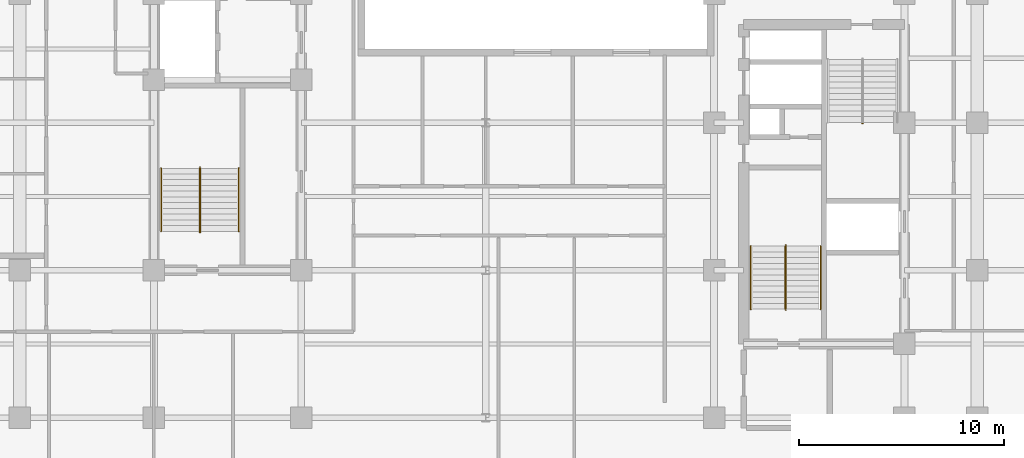
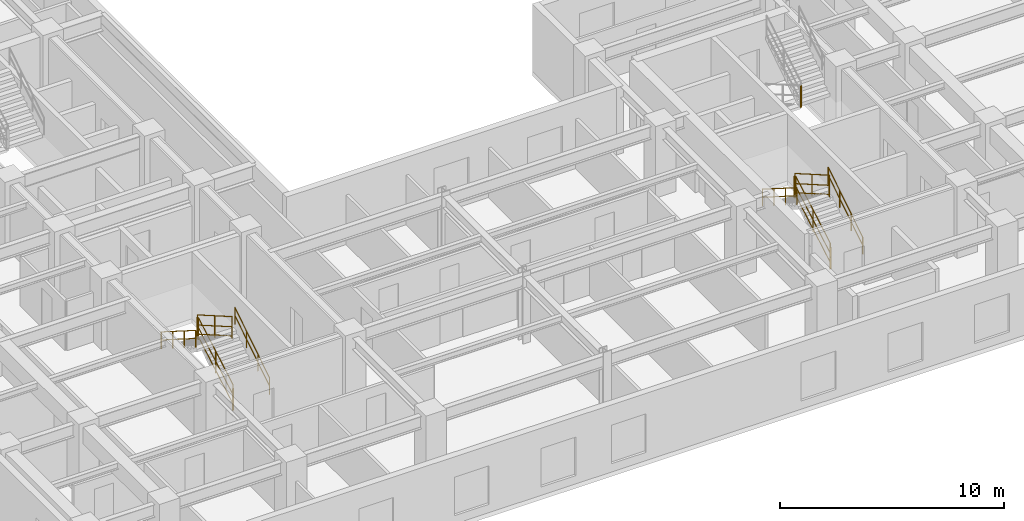
# One storey, part 7 of 9: 13 railings.
"""IFC4 building model written with IfcOpenShell, lengths in metres."""

from ifc_helpers import new_model, entity, si_unit, converted_unit, direction, frame, origin_with_axes, origin_2d_with_axis, place, context, subcontext, project, spatial, rectangle, circle, extrude, material, type_object, element, save


model = new_model("IFC4")

# Units and contexts
model_context = context("Model", 3, precision=1e-05, world=origin_with_axes(), true_north=direction((0.0, 1.0)))
body_context = subcontext(model_context, "Body", "Model", "MODEL_VIEW")
ifc_project = project(units=[si_unit("LENGTHUNIT", "METRE"), si_unit("AREAUNIT", "SQUARE_METRE"), si_unit("VOLUMEUNIT", "CUBIC_METRE"), converted_unit("PLANEANGLEUNIT", "DEGREE", entity("IfcPlaneAngleMeasure", 0.017453292519943295), si_unit("PLANEANGLEUNIT", "RADIAN"), dimensions=[0, 0, 0, 0, 0, 0, 0]), si_unit("MASSUNIT", "GRAM", prefix="KILO"), si_unit("THERMODYNAMICTEMPERATUREUNIT", "KELVIN")], contexts=[model_context])

# Site, building, storey
site_placement = place(None, origin_with_axes())
site = spatial("IfcSite", under=ifc_project, at=site_placement, CompositionType="ELEMENT")
building_placement = place(site_placement, origin_with_axes())
building = spatial("IfcBuilding", under=site, at=building_placement, Name="Varnlund Millrace Tower", CompositionType="ELEMENT")
storey_placement = place(building_placement, frame((0.0, 0.0, 132.9), z_axis=(0.0, 0.0, 1.0), x_axis=(1.0, 0.0, 0.0)))
storey = spatial("IfcBuildingStorey", under=building, at=storey_placement, Name="L32", CompositionType="ELEMENT", Elevation=132.9)

# Railings
ifc_material_1 = material(Name="Painted steel stair well balustrade guard", Category="steel")
railing_type_1 = type_object("IfcRailingType", Name="Type-StairGuard-1150", PredefinedType="GUARDRAIL", material=ifc_material_1)
railing_1_placement = place(storey_placement, frame((0.0, 0.0, -132.9), z_axis=(0.0, 0.0, 1.0), x_axis=(1.0, 0.0, 0.0)))
element("IfcRailing", 1, at=railing_1_placement, inside=storey, type_object=railing_type_1, Name="Type-StairGuard-1150", PredefinedType="GUARDRAIL", context=body_context, shape_type="SweptSolid", body=[
    extrude(circle(Radius=0.024, at=origin_2d_with_axis()), frame((13.675, 12.7, 134.227273), z_axis=(0.0, 0.866696, 0.498836), x_axis=(-1.0, 0.0, 0.0)), (0.0, 0.0, 1.0), 3.553725),
    extrude(circle(Radius=0.024, at=origin_2d_with_axis()), frame((13.675, 12.7, 133.177273), z_axis=(0.0, 0.866696, 0.498836), x_axis=(-1.0, 0.0, 0.0)), (0.0, 0.0, 1.0), 3.553725),
    extrude(circle(Radius=0.024, at=origin_2d_with_axis()), frame((13.675, 12.7, 133.675273), z_axis=(0.0, 0.866696, 0.498836), x_axis=(-1.0, 0.0, 0.0)), (0.0, 0.0, 1.0), 3.553725),
    extrude(rectangle(XDim=0.04, YDim=0.04, at=origin_2d_with_axis()), frame((13.675, 12.7, 133.037273), z_axis=(0.0, 0.0, 1.0), x_axis=(1.0, 0.0, 0.0)), (0.0, 0.0, 1.0), 1.19),
    extrude(rectangle(XDim=0.04, YDim=0.04, at=origin_2d_with_axis()), frame((13.675, 14.24, 133.923637), z_axis=(0.0, 0.0, 1.0), x_axis=(1.0, 0.0, 0.0)), (0.0, 0.0, 1.0), 1.19),
    extrude(rectangle(XDim=0.04, YDim=0.04, at=origin_2d_with_axis()), frame((13.675, 15.78, 134.81), z_axis=(0.0, 0.0, 1.0), x_axis=(1.0, 0.0, 0.0)), (0.0, 0.0, 1.0), 1.19),
])
railing_2_placement = place(storey_placement, frame((0.0, 0.0, -132.9), z_axis=(0.0, 0.0, 1.0), x_axis=(1.0, 0.0, 0.0)))
element("IfcRailing", 2, at=railing_2_placement, inside=storey, type_object=railing_type_1, Name="Type-StairGuard-1150", PredefinedType="GUARDRAIL", context=body_context, shape_type="SweptSolid", body=[
    extrude(circle(Radius=0.024, at=origin_2d_with_axis()), frame((13.625, 15.83, 136.0), z_axis=(1.0, 0.0, 0.0), x_axis=(0.0, 1.0, 0.0)), (0.0, 0.0, 1.0), 0.05),
    extrude(circle(Radius=0.024, at=origin_2d_with_axis()), frame((13.625, 15.83, 134.95), z_axis=(1.0, 0.0, 0.0), x_axis=(0.0, 1.0, 0.0)), (0.0, 0.0, 1.0), 0.05),
    extrude(circle(Radius=0.024, at=origin_2d_with_axis()), frame((13.625, 15.83, 135.448), z_axis=(1.0, 0.0, 0.0), x_axis=(0.0, 1.0, 0.0)), (0.0, 0.0, 1.0), 0.05),
    extrude(rectangle(XDim=0.04, YDim=0.04, at=origin_2d_with_axis()), frame((13.625, 15.83, 134.81), z_axis=(0.0, 0.0, 1.0), x_axis=(1.0, 0.0, 0.0)), (0.0, 0.0, 1.0), 1.19),
    extrude(rectangle(XDim=0.04, YDim=0.04, at=origin_2d_with_axis()), frame((13.675, 15.83, 134.81), z_axis=(0.0, 0.0, 1.0), x_axis=(1.0, 0.0, 0.0)), (0.0, 0.0, 1.0), 1.19),
])
railing_3_placement = place(storey_placement, frame((0.0, 0.0, -132.9), z_axis=(0.0, 0.0, 1.0), x_axis=(1.0, 0.0, 0.0)))
element("IfcRailing", 3, at=railing_3_placement, inside=storey, type_object=railing_type_1, Name="Type-StairGuard-1150", PredefinedType="GUARDRAIL", context=body_context, shape_type="SweptSolid", body=[
    extrude(circle(Radius=0.024, at=origin_2d_with_axis()), frame((13.625, 15.78, 136.177273), z_axis=(0.0, -0.866696, 0.498836), x_axis=(1.0, 0.0, 0.0)), (0.0, 0.0, 1.0), 3.553725),
    extrude(circle(Radius=0.024, at=origin_2d_with_axis()), frame((13.625, 15.78, 135.127273), z_axis=(0.0, -0.866696, 0.498836), x_axis=(1.0, 0.0, 0.0)), (0.0, 0.0, 1.0), 3.553725),
    extrude(circle(Radius=0.024, at=origin_2d_with_axis()), frame((13.625, 15.78, 135.625273), z_axis=(0.0, -0.866696, 0.498836), x_axis=(1.0, 0.0, 0.0)), (0.0, 0.0, 1.0), 3.553725),
    extrude(rectangle(XDim=0.04, YDim=0.04, at=origin_2d_with_axis()), frame((13.625, 15.78, 134.987273), z_axis=(0.0, 0.0, 1.0), x_axis=(1.0, 0.0, 0.0)), (0.0, 0.0, 1.0), 1.19),
    extrude(rectangle(XDim=0.04, YDim=0.04, at=origin_2d_with_axis()), frame((13.625, 14.24, 135.873636), z_axis=(0.0, 0.0, 1.0), x_axis=(1.0, 0.0, 0.0)), (0.0, 0.0, 1.0), 1.19),
    extrude(rectangle(XDim=0.04, YDim=0.04, at=origin_2d_with_axis()), frame((13.625, 12.7, 136.76), z_axis=(0.0, 0.0, 1.0), x_axis=(1.0, 0.0, 0.0)), (0.0, 0.0, 1.0), 1.19),
])
railing_4_placement = place(storey_placement, frame((0.0, 0.0, -132.9), z_axis=(0.0, 0.0, 1.0), x_axis=(1.0, 0.0, 0.0)))
element("IfcRailing", 4, at=railing_4_placement, inside=storey, type_object=railing_type_1, Name="Type-StairGuard-1150", PredefinedType="GUARDRAIL", context=body_context, shape_type="SweptSolid", body=[
    extrude(circle(Radius=0.024, at=origin_2d_with_axis()), frame((13.625, 12.65, 134.05), z_axis=(1.0, 0.0, 0.0), x_axis=(0.0, 1.0, 0.0)), (0.0, 0.0, 1.0), 0.05),
    extrude(circle(Radius=0.024, at=origin_2d_with_axis()), frame((13.625, 12.65, 133.0), z_axis=(1.0, 0.0, 0.0), x_axis=(0.0, 1.0, 0.0)), (0.0, 0.0, 1.0), 0.05),
    extrude(circle(Radius=0.024, at=origin_2d_with_axis()), frame((13.625, 12.65, 133.498), z_axis=(1.0, 0.0, 0.0), x_axis=(0.0, 1.0, 0.0)), (0.0, 0.0, 1.0), 0.05),
    extrude(rectangle(XDim=0.04, YDim=0.04, at=origin_2d_with_axis()), frame((13.625, 12.65, 132.86), z_axis=(0.0, 0.0, 1.0), x_axis=(1.0, 0.0, 0.0)), (0.0, 0.0, 1.0), 1.19),
    extrude(rectangle(XDim=0.04, YDim=0.04, at=origin_2d_with_axis()), frame((13.675, 12.65, 132.86), z_axis=(0.0, 0.0, 1.0), x_axis=(1.0, 0.0, 0.0)), (0.0, 0.0, 1.0), 1.19),
])
railing_5_placement = place(storey_placement, frame((0.0, 0.0, -132.9), z_axis=(0.0, 0.0, 1.0), x_axis=(1.0, 0.0, 0.0)))
element("IfcRailing", 5, at=railing_5_placement, inside=storey, type_object=railing_type_1, Name="Type-StairGuard-1150", PredefinedType="GUARDRAIL", context=body_context, shape_type="SweptSolid", body=[
    extrude(circle(Radius=0.024, at=origin_2d_with_axis()), frame((42.275, 8.9, 134.227273), z_axis=(0.0, 0.866696, 0.498836), x_axis=(-1.0, 0.0, 0.0)), (0.0, 0.0, 1.0), 3.553725),
    extrude(circle(Radius=0.024, at=origin_2d_with_axis()), frame((42.275, 8.9, 133.177273), z_axis=(0.0, 0.866696, 0.498836), x_axis=(-1.0, 0.0, 0.0)), (0.0, 0.0, 1.0), 3.553725),
    extrude(circle(Radius=0.024, at=origin_2d_with_axis()), frame((42.275, 8.9, 133.675273), z_axis=(0.0, 0.866696, 0.498836), x_axis=(-1.0, 0.0, 0.0)), (0.0, 0.0, 1.0), 3.553725),
    extrude(rectangle(XDim=0.04, YDim=0.04, at=origin_2d_with_axis()), frame((42.275, 8.9, 133.037273), z_axis=(0.0, 0.0, 1.0), x_axis=(1.0, 0.0, 0.0)), (0.0, 0.0, 1.0), 1.19),
    extrude(rectangle(XDim=0.04, YDim=0.04, at=origin_2d_with_axis()), frame((42.275, 10.44, 133.923637), z_axis=(0.0, 0.0, 1.0), x_axis=(1.0, 0.0, 0.0)), (0.0, 0.0, 1.0), 1.19),
    extrude(rectangle(XDim=0.04, YDim=0.04, at=origin_2d_with_axis()), frame((42.275, 11.98, 134.81), z_axis=(0.0, 0.0, 1.0), x_axis=(1.0, 0.0, 0.0)), (0.0, 0.0, 1.0), 1.19),
])
railing_6_placement = place(storey_placement, frame((0.0, 0.0, -132.9), z_axis=(0.0, 0.0, 1.0), x_axis=(1.0, 0.0, 0.0)))
element("IfcRailing", 6, at=railing_6_placement, inside=storey, type_object=railing_type_1, Name="Type-StairGuard-1150", PredefinedType="GUARDRAIL", context=body_context, shape_type="SweptSolid", body=[
    extrude(circle(Radius=0.024, at=origin_2d_with_axis()), frame((42.225, 12.03, 136.0), z_axis=(1.0, 0.0, 0.0), x_axis=(0.0, 1.0, 0.0)), (0.0, 0.0, 1.0), 0.05),
    extrude(circle(Radius=0.024, at=origin_2d_with_axis()), frame((42.225, 12.03, 134.95), z_axis=(1.0, 0.0, 0.0), x_axis=(0.0, 1.0, 0.0)), (0.0, 0.0, 1.0), 0.05),
    extrude(circle(Radius=0.024, at=origin_2d_with_axis()), frame((42.225, 12.03, 135.448), z_axis=(1.0, 0.0, 0.0), x_axis=(0.0, 1.0, 0.0)), (0.0, 0.0, 1.0), 0.05),
    extrude(rectangle(XDim=0.04, YDim=0.04, at=origin_2d_with_axis()), frame((42.225, 12.03, 134.81), z_axis=(0.0, 0.0, 1.0), x_axis=(1.0, 0.0, 0.0)), (0.0, 0.0, 1.0), 1.19),
    extrude(rectangle(XDim=0.04, YDim=0.04, at=origin_2d_with_axis()), frame((42.275, 12.03, 134.81), z_axis=(0.0, 0.0, 1.0), x_axis=(1.0, 0.0, 0.0)), (0.0, 0.0, 1.0), 1.19),
])
railing_7_placement = place(storey_placement, frame((0.0, 0.0, -132.9), z_axis=(0.0, 0.0, 1.0), x_axis=(1.0, 0.0, 0.0)))
element("IfcRailing", 7, at=railing_7_placement, inside=storey, type_object=railing_type_1, Name="Type-StairGuard-1150", PredefinedType="GUARDRAIL", context=body_context, shape_type="SweptSolid", body=[
    extrude(circle(Radius=0.024, at=origin_2d_with_axis()), frame((42.225, 11.98, 136.177273), z_axis=(0.0, -0.866696, 0.498836), x_axis=(1.0, 0.0, 0.0)), (0.0, 0.0, 1.0), 3.553725),
    extrude(circle(Radius=0.024, at=origin_2d_with_axis()), frame((42.225, 11.98, 135.127273), z_axis=(0.0, -0.866696, 0.498836), x_axis=(1.0, 0.0, 0.0)), (0.0, 0.0, 1.0), 3.553725),
    extrude(circle(Radius=0.024, at=origin_2d_with_axis()), frame((42.225, 11.98, 135.625273), z_axis=(0.0, -0.866696, 0.498836), x_axis=(1.0, 0.0, 0.0)), (0.0, 0.0, 1.0), 3.553725),
    extrude(rectangle(XDim=0.04, YDim=0.04, at=origin_2d_with_axis()), frame((42.225, 11.98, 134.987273), z_axis=(0.0, 0.0, 1.0), x_axis=(1.0, 0.0, 0.0)), (0.0, 0.0, 1.0), 1.19),
    extrude(rectangle(XDim=0.04, YDim=0.04, at=origin_2d_with_axis()), frame((42.225, 10.44, 135.873636), z_axis=(0.0, 0.0, 1.0), x_axis=(1.0, 0.0, 0.0)), (0.0, 0.0, 1.0), 1.19),
    extrude(rectangle(XDim=0.04, YDim=0.04, at=origin_2d_with_axis()), frame((42.225, 8.9, 136.76), z_axis=(0.0, 0.0, 1.0), x_axis=(1.0, 0.0, 0.0)), (0.0, 0.0, 1.0), 1.19),
])
railing_8_placement = place(storey_placement, frame((0.0, 0.0, -132.9), z_axis=(0.0, 0.0, 1.0), x_axis=(1.0, 0.0, 0.0)))
element("IfcRailing", 8, at=railing_8_placement, inside=storey, type_object=railing_type_1, Name="Type-StairGuard-1150", PredefinedType="GUARDRAIL", context=body_context, shape_type="SweptSolid", body=[
    extrude(circle(Radius=0.024, at=origin_2d_with_axis()), frame((42.225, 8.85, 134.05), z_axis=(1.0, 0.0, 0.0), x_axis=(0.0, 1.0, 0.0)), (0.0, 0.0, 1.0), 0.05),
    extrude(circle(Radius=0.024, at=origin_2d_with_axis()), frame((42.225, 8.85, 133.0), z_axis=(1.0, 0.0, 0.0), x_axis=(0.0, 1.0, 0.0)), (0.0, 0.0, 1.0), 0.05),
    extrude(circle(Radius=0.024, at=origin_2d_with_axis()), frame((42.225, 8.85, 133.498), z_axis=(1.0, 0.0, 0.0), x_axis=(0.0, 1.0, 0.0)), (0.0, 0.0, 1.0), 0.05),
    extrude(rectangle(XDim=0.04, YDim=0.04, at=origin_2d_with_axis()), frame((42.225, 8.85, 132.86), z_axis=(0.0, 0.0, 1.0), x_axis=(1.0, 0.0, 0.0)), (0.0, 0.0, 1.0), 1.19),
    extrude(rectangle(XDim=0.04, YDim=0.04, at=origin_2d_with_axis()), frame((42.275, 8.85, 132.86), z_axis=(0.0, 0.0, 1.0), x_axis=(1.0, 0.0, 0.0)), (0.0, 0.0, 1.0), 1.19),
])
railing_9_placement = place(storey_placement, frame((0.0, 0.0, -132.9), z_axis=(0.0, 0.0, 1.0), x_axis=(1.0, 0.0, 0.0)))
element("IfcRailing", 9, at=railing_9_placement, inside=storey, type_object=railing_type_1, Name="Type-StairGuard-1150", PredefinedType="GUARDRAIL", context=body_context, shape_type="SweptSolid", body=[
    extrude(circle(Radius=0.024, at=origin_2d_with_axis()), frame((46.025, 17.97, 136.0), z_axis=(-1.0, 0.0, 0.0), x_axis=(0.0, -1.0, 0.0)), (0.0, 0.0, 1.0), 0.05),
    extrude(circle(Radius=0.024, at=origin_2d_with_axis()), frame((46.025, 17.97, 134.95), z_axis=(-1.0, 0.0, 0.0), x_axis=(0.0, -1.0, 0.0)), (0.0, 0.0, 1.0), 0.05),
    extrude(circle(Radius=0.024, at=origin_2d_with_axis()), frame((46.025, 17.97, 135.448), z_axis=(-1.0, 0.0, 0.0), x_axis=(0.0, -1.0, 0.0)), (0.0, 0.0, 1.0), 0.05),
    extrude(rectangle(XDim=0.04, YDim=0.04, at=origin_2d_with_axis()), frame((46.025, 17.97, 134.81), z_axis=(0.0, 0.0, 1.0), x_axis=(1.0, 0.0, 0.0)), (0.0, 0.0, 1.0), 1.19),
    extrude(rectangle(XDim=0.04, YDim=0.04, at=origin_2d_with_axis()), frame((45.975, 17.97, 134.81), z_axis=(0.0, 0.0, 1.0), x_axis=(1.0, 0.0, 0.0)), (0.0, 0.0, 1.0), 1.19),
])
ifc_material_2 = material(Name="Brushed architectural bronze stair handrail", Category="aluminium")
railing_type_2 = type_object("IfcRailingType", Name="Type-StairHandrail-900", PredefinedType="HANDRAIL", material=ifc_material_2)
railing_10_placement = place(storey_placement, frame((0.0, 0.0, -132.9), z_axis=(0.0, 0.0, 1.0), x_axis=(1.0, 0.0, 0.0)))
element("IfcRailing", 10, at=railing_10_placement, inside=storey, type_object=railing_type_2, Name="Type-StairHandrail-900", PredefinedType="HANDRAIL", context=body_context, shape_type="SweptSolid", body=[
    extrude(circle(Radius=0.024, at=origin_2d_with_axis()), frame((15.55, 12.7, 133.956995), z_axis=(0.0, 0.844902, 0.534922), x_axis=(-1.0, 0.0, 0.0)), (0.0, 0.0, 1.0), 3.645394),
    extrude(circle(Radius=0.024, at=origin_2d_with_axis()), frame((15.55, 12.7, 133.517134), z_axis=(0.0, 0.844902, 0.534922), x_axis=(-1.0, 0.0, 0.0)), (0.0, 0.0, 1.0), 3.645394),
    extrude(rectangle(XDim=0.04, YDim=0.04, at=origin_2d_with_axis()), frame((15.55, 12.7, 133.037273), z_axis=(0.0, 0.0, 1.0), x_axis=(1.0, 0.0, 0.0)), (0.0, 0.0, 1.0), 0.919722),
    extrude(rectangle(XDim=0.04, YDim=0.04, at=origin_2d_with_axis()), frame((15.55, 13.726667, 133.687273), z_axis=(0.0, 0.0, 1.0), x_axis=(1.0, 0.0, 0.0)), (0.0, 0.0, 1.0), 0.919722),
    extrude(rectangle(XDim=0.04, YDim=0.04, at=origin_2d_with_axis()), frame((15.55, 14.753333, 134.337273), z_axis=(0.0, 0.0, 1.0), x_axis=(1.0, 0.0, 0.0)), (0.0, 0.0, 1.0), 0.919722),
    extrude(rectangle(XDim=0.04, YDim=0.04, at=origin_2d_with_axis()), frame((15.55, 15.78, 134.987273), z_axis=(0.0, 0.0, 1.0), x_axis=(1.0, 0.0, 0.0)), (0.0, 0.0, 1.0), 0.919722),
])
railing_11_placement = place(storey_placement, frame((0.0, 0.0, -132.9), z_axis=(0.0, 0.0, 1.0), x_axis=(1.0, 0.0, 0.0)))
element("IfcRailing", 11, at=railing_11_placement, inside=storey, type_object=railing_type_2, Name="Type-StairHandrail-900", PredefinedType="HANDRAIL", context=body_context, shape_type="SweptSolid", body=[
    extrude(circle(Radius=0.024, at=origin_2d_with_axis()), frame((11.75, 15.78, 135.906995), z_axis=(0.0, -0.844902, 0.534922), x_axis=(1.0, 0.0, 0.0)), (0.0, 0.0, 1.0), 3.645394),
    extrude(circle(Radius=0.024, at=origin_2d_with_axis()), frame((11.75, 15.78, 135.467134), z_axis=(0.0, -0.844902, 0.534922), x_axis=(1.0, 0.0, 0.0)), (0.0, 0.0, 1.0), 3.645394),
    extrude(rectangle(XDim=0.04, YDim=0.04, at=origin_2d_with_axis()), frame((11.75, 15.78, 134.987273), z_axis=(0.0, 0.0, 1.0), x_axis=(1.0, 0.0, 0.0)), (0.0, 0.0, 1.0), 0.919722),
    extrude(rectangle(XDim=0.04, YDim=0.04, at=origin_2d_with_axis()), frame((11.75, 14.753333, 135.637273), z_axis=(0.0, 0.0, 1.0), x_axis=(1.0, 0.0, 0.0)), (0.0, 0.0, 1.0), 0.919722),
    extrude(rectangle(XDim=0.04, YDim=0.04, at=origin_2d_with_axis()), frame((11.75, 13.726667, 136.287273), z_axis=(0.0, 0.0, 1.0), x_axis=(1.0, 0.0, 0.0)), (0.0, 0.0, 1.0), 0.919722),
    extrude(rectangle(XDim=0.04, YDim=0.04, at=origin_2d_with_axis()), frame((11.75, 12.7, 136.937273), z_axis=(0.0, 0.0, 1.0), x_axis=(1.0, 0.0, 0.0)), (0.0, 0.0, 1.0), 0.919722),
])
railing_12_placement = place(storey_placement, frame((0.0, 0.0, -132.9), z_axis=(0.0, 0.0, 1.0), x_axis=(1.0, 0.0, 0.0)))
element("IfcRailing", 12, at=railing_12_placement, inside=storey, type_object=railing_type_2, Name="Type-StairHandrail-900", PredefinedType="HANDRAIL", context=body_context, shape_type="SweptSolid", body=[
    extrude(circle(Radius=0.024, at=origin_2d_with_axis()), frame((43.95, 8.9, 133.956995), z_axis=(0.0, 0.844902, 0.534922), x_axis=(-1.0, 0.0, 0.0)), (0.0, 0.0, 1.0), 3.645394),
    extrude(circle(Radius=0.024, at=origin_2d_with_axis()), frame((43.95, 8.9, 133.517134), z_axis=(0.0, 0.844902, 0.534922), x_axis=(-1.0, 0.0, 0.0)), (0.0, 0.0, 1.0), 3.645394),
    extrude(rectangle(XDim=0.04, YDim=0.04, at=origin_2d_with_axis()), frame((43.95, 8.9, 133.037273), z_axis=(0.0, 0.0, 1.0), x_axis=(1.0, 0.0, 0.0)), (0.0, 0.0, 1.0), 0.919722),
    extrude(rectangle(XDim=0.04, YDim=0.04, at=origin_2d_with_axis()), frame((43.95, 9.926667, 133.687273), z_axis=(0.0, 0.0, 1.0), x_axis=(1.0, 0.0, 0.0)), (0.0, 0.0, 1.0), 0.919722),
    extrude(rectangle(XDim=0.04, YDim=0.04, at=origin_2d_with_axis()), frame((43.95, 10.953333, 134.337273), z_axis=(0.0, 0.0, 1.0), x_axis=(1.0, 0.0, 0.0)), (0.0, 0.0, 1.0), 0.919722),
    extrude(rectangle(XDim=0.04, YDim=0.04, at=origin_2d_with_axis()), frame((43.95, 11.98, 134.987273), z_axis=(0.0, 0.0, 1.0), x_axis=(1.0, 0.0, 0.0)), (0.0, 0.0, 1.0), 0.919722),
])
railing_13_placement = place(storey_placement, frame((0.0, 0.0, -132.9), z_axis=(0.0, 0.0, 1.0), x_axis=(1.0, 0.0, 0.0)))
element("IfcRailing", 13, at=railing_13_placement, inside=storey, type_object=railing_type_2, Name="Type-StairHandrail-900", PredefinedType="HANDRAIL", context=body_context, shape_type="SweptSolid", body=[
    extrude(circle(Radius=0.024, at=origin_2d_with_axis()), frame((40.55, 11.98, 135.906995), z_axis=(0.0, -0.844902, 0.534922), x_axis=(1.0, 0.0, 0.0)), (0.0, 0.0, 1.0), 3.645394),
    extrude(circle(Radius=0.024, at=origin_2d_with_axis()), frame((40.55, 11.98, 135.467134), z_axis=(0.0, -0.844902, 0.534922), x_axis=(1.0, 0.0, 0.0)), (0.0, 0.0, 1.0), 3.645394),
    extrude(rectangle(XDim=0.04, YDim=0.04, at=origin_2d_with_axis()), frame((40.55, 11.98, 134.987273), z_axis=(0.0, 0.0, 1.0), x_axis=(1.0, 0.0, 0.0)), (0.0, 0.0, 1.0), 0.919722),
    extrude(rectangle(XDim=0.04, YDim=0.04, at=origin_2d_with_axis()), frame((40.55, 10.953333, 135.637273), z_axis=(0.0, 0.0, 1.0), x_axis=(1.0, 0.0, 0.0)), (0.0, 0.0, 1.0), 0.919722),
    extrude(rectangle(XDim=0.04, YDim=0.04, at=origin_2d_with_axis()), frame((40.55, 9.926667, 136.287273), z_axis=(0.0, 0.0, 1.0), x_axis=(1.0, 0.0, 0.0)), (0.0, 0.0, 1.0), 0.919722),
    extrude(rectangle(XDim=0.04, YDim=0.04, at=origin_2d_with_axis()), frame((40.55, 8.9, 136.937273), z_axis=(0.0, 0.0, 1.0), x_axis=(1.0, 0.0, 0.0)), (0.0, 0.0, 1.0), 0.919722),
])

save(model, "model.ifc")
